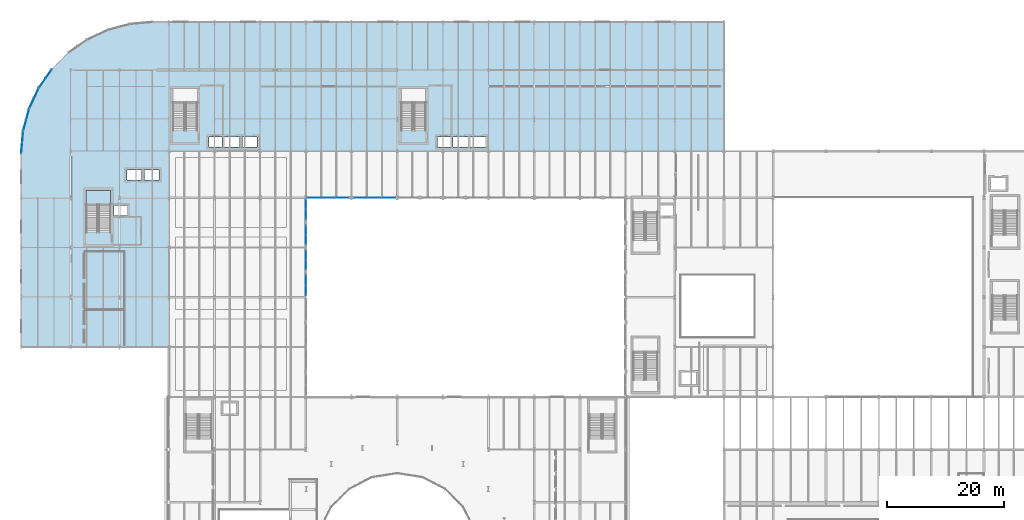
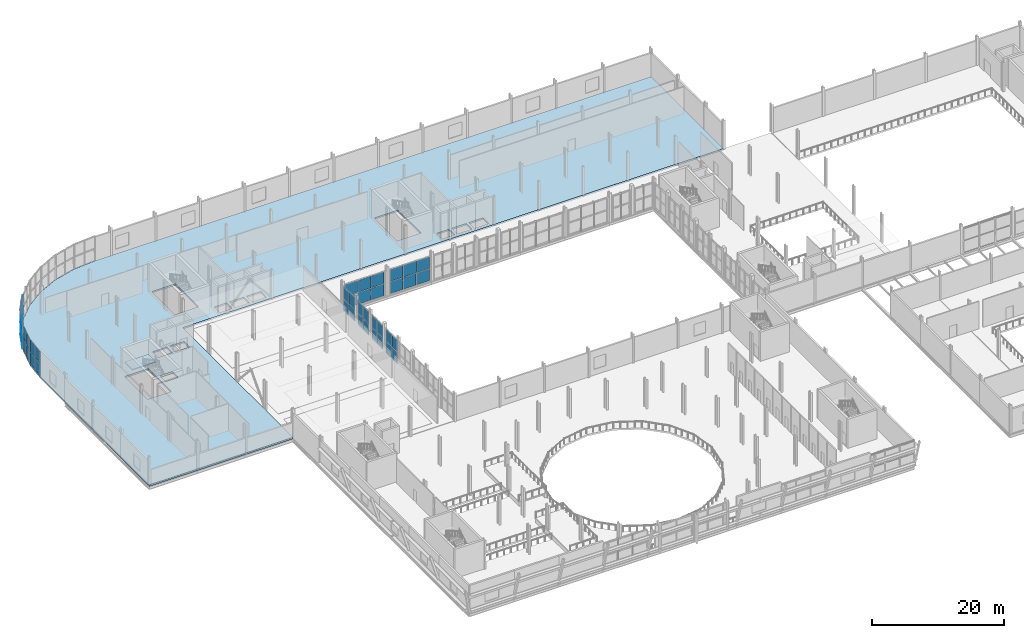
# One storey, part 40 of 78: 44 plates, 2 slabs, 11 elements without a shape of their own.
"""IFC4 building model written with IfcOpenShell, lengths in metres."""

from ifc_helpers import new_model, si_unit, direction, frame, origin, origin_2d, place, context, subcontext, project, spatial, polyline, rectangle, outline, extrude, material, layer, layer_set, type_object, element, aggregate, save


model = new_model("IFC4")

# Units and contexts
model_context = context("Model", 3, precision=1e-05, world=origin(), true_north=direction((0.0, 1.0)))
body_context = subcontext(model_context, "Body", "Model", "MODEL_VIEW")
ifc_project = project(units=[si_unit("LENGTHUNIT", "METRE"), si_unit("AREAUNIT", "SQUARE_METRE"), si_unit("VOLUMEUNIT", "CUBIC_METRE"), si_unit("PLANEANGLEUNIT", "RADIAN"), si_unit("MASSUNIT", "GRAM", prefix="KILO")], contexts=[model_context])

# Site, building, storey
site_placement = place(None, origin())
site = spatial("IfcSite", under=ifc_project, at=site_placement, CompositionType="ELEMENT")
building_placement = place(site_placement, origin())
building = spatial("IfcBuilding", under=site, at=building_placement, Name="Sefraquen Railside Congress Hotel", CompositionType="ELEMENT")
storey_placement = place(building_placement, frame((0.0, 0.0, 6.0)))
storey = spatial("IfcBuildingStorey", under=building, at=storey_placement, Name="L01", CompositionType="ELEMENT", Elevation=6.0)

# Curtain wall, plates
ifc_material_1 = material(Name="Thermally broken anodised aluminium and low-E double glazing", Category="aluminium")
ifc_layer_1 = layer(ifc_material_1, 0.199951171875)
ifc_layer_set_1 = layer_set([ifc_layer_1], Name="Thermally broken anodised aluminium and low-E double glazing")
curtain_wall_type_1 = type_object("IfcCurtainWallType", Name="TCW-UCW-10", PredefinedType="USERDEFINED", material=ifc_layer_set_1)
curtain_wall_1_placement = place(storey_placement, origin())
curtain_wall_1 = element("IfcCurtainWall", 1, at=curtain_wall_1_placement, inside=storey, type_object=curtain_wall_type_1, Name="Courtyard north gallery curtain wall L01-1", ObjectType="UNITISED CURTAIN WALL", PredefinedType="USERDEFINED")
ifc_material_2 = material(Name="Solar-control low-E double glazing", Category="glass")
ifc_layer_2 = layer(ifc_material_2, 0.02392578125)
ifc_layer_set_2 = layer_set([ifc_layer_2], Name="Solar-control low-E double glazing")
plate_type_1 = type_object("IfcPlateType", Name="TP-CWP-01", PredefinedType="CURTAIN_PANEL", material=ifc_layer_set_2)
plate_1_placement = place(storey_placement, frame((50.078369140625, 88.0, 0.0400390625), z_axis=(0.0, 0.0, 1.0), x_axis=(1.0, 0.0, 0.0)))
plate_1 = element("IfcPlate", 2, at=plate_1_placement, type_object=plate_type_1, Name="CW-L01-042 panel 1.1", PredefinedType="CURTAIN_PANEL", context=body_context, shape_type="SweptSolid", body=[
    extrude(rectangle(XDim=2.24658203125, YDim=0.02392578125, at=origin_2d()), origin(), (0.0, 0.0, 1.0), 2.169921875),
])
plate_2_placement = place(storey_placement, frame((52.4150390625, 88.0, 0.0400390625), z_axis=(0.0, 0.0, 1.0), x_axis=(1.0, 0.0, 0.0)))
plate_2 = element("IfcPlate", 3, at=plate_2_placement, type_object=plate_type_1, Name="CW-L01-042 panel 1.2", PredefinedType="CURTAIN_PANEL", context=body_context, shape_type="SweptSolid", body=[
    extrude(rectangle(XDim=2.24658203125, YDim=0.02392578125, at=origin_2d()), origin(), (0.0, 0.0, 1.0), 2.169921875),
])
plate_3_placement = place(storey_placement, frame((54.751708984375, 88.0, 0.0400390625), z_axis=(0.0, 0.0, 1.0), x_axis=(1.0, 0.0, 0.0)))
plate_3 = element("IfcPlate", 4, at=plate_3_placement, type_object=plate_type_1, Name="CW-L01-042 panel 1.3", PredefinedType="CURTAIN_PANEL", context=body_context, shape_type="SweptSolid", body=[
    extrude(rectangle(XDim=2.24658203125, YDim=0.02392578125, at=origin_2d()), origin(), (0.0, 0.0, 1.0), 2.169921875),
])

curtain_wall_2_placement = place(storey_placement, origin())
curtain_wall_2 = element("IfcCurtainWall", 5, at=curtain_wall_2_placement, inside=storey, type_object=curtain_wall_type_1, Name="Courtyard north gallery curtain wall L01-1 bay 2", ObjectType="UNITISED CURTAIN WALL", PredefinedType="USERDEFINED")
plate_4_placement = place(storey_placement, frame((58.04833984375, 88.0, 0.0400390625), z_axis=(0.0, 0.0, 1.0), x_axis=(1.0, 0.0, 0.0)))
plate_4 = element("IfcPlate", 6, at=plate_4_placement, type_object=plate_type_1, Name="CW-L01-042-S2 panel 1.1", PredefinedType="CURTAIN_PANEL", context=body_context, shape_type="SweptSolid", body=[
    extrude(rectangle(XDim=2.24658203125, YDim=0.02392578125, at=origin_2d()), origin(), (0.0, 0.0, 1.0), 2.169921875),
])
plate_5_placement = place(storey_placement, frame((60.385009765625, 88.0, 0.0400390625), z_axis=(0.0, 0.0, 1.0), x_axis=(1.0, 0.0, 0.0)))
plate_5 = element("IfcPlate", 7, at=plate_5_placement, type_object=plate_type_1, Name="CW-L01-042-S2 panel 1.2", PredefinedType="CURTAIN_PANEL", context=body_context, shape_type="SweptSolid", body=[
    extrude(rectangle(XDim=2.24658203125, YDim=0.02392578125, at=origin_2d()), origin(), (0.0, 0.0, 1.0), 2.169921875),
])
plate_6_placement = place(storey_placement, frame((62.7216796875, 88.0, 0.0400390625), z_axis=(0.0, 0.0, 1.0), x_axis=(1.0, 0.0, 0.0)))
plate_6 = element("IfcPlate", 8, at=plate_6_placement, type_object=plate_type_1, Name="CW-L01-042-S2 panel 1.3", PredefinedType="CURTAIN_PANEL", context=body_context, shape_type="SweptSolid", body=[
    extrude(rectangle(XDim=2.24658203125, YDim=0.02392578125, at=origin_2d()), origin(), (0.0, 0.0, 1.0), 2.169921875),
])

ifc_layer_3 = layer(ifc_material_1, 0.199951171875)
ifc_layer_set_3 = layer_set([ifc_layer_3], Name="Thermally broken anodised aluminium and low-E double glazing")
curtain_wall_type_2 = type_object("IfcCurtainWallType", Name="TCW-UCW-15", PredefinedType="USERDEFINED", material=ifc_layer_set_3)
curtain_wall_3_placement = place(storey_placement, origin())
curtain_wall_3 = element("IfcCurtainWall", 9, at=curtain_wall_3_placement, inside=storey, type_object=curtain_wall_type_2, Name="Courtyard west gallery curtain wall L01", ObjectType="UNITISED CURTAIN WALL", PredefinedType="USERDEFINED")
plate_7_placement = place(storey_placement, frame((48.60009765625, 72.175048828125, 0.0400390625), z_axis=(0.0, 0.0, 1.0), x_axis=(0.0, 1.0, 0.0)))
plate_7 = element("IfcPlate", 10, at=plate_7_placement, type_object=plate_type_1, Name="CW-L01-047 panel 1.1", PredefinedType="CURTAIN_PANEL", context=body_context, shape_type="SweptSolid", body=[
    extrude(rectangle(XDim=1.639892578125, YDim=0.02392578125, at=origin_2d()), origin(), (0.0, 0.0, 1.0), 2.169921875),
])
plate_8_placement = place(storey_placement, frame((48.60009765625, 73.905029296875, 0.0400390625), z_axis=(0.0, 0.0, 1.0), x_axis=(0.0, 1.0, 0.0)))
plate_8 = element("IfcPlate", 11, at=plate_8_placement, type_object=plate_type_1, Name="CW-L01-047 panel 1.2", PredefinedType="CURTAIN_PANEL", context=body_context, shape_type="SweptSolid", body=[
    extrude(rectangle(XDim=1.639892578125, YDim=0.02392578125, at=origin_2d()), origin(), (0.0, 0.0, 1.0), 2.169921875),
])

curtain_wall_4_placement = place(storey_placement, origin())
curtain_wall_4 = element("IfcCurtainWall", 12, at=curtain_wall_4_placement, inside=storey, type_object=curtain_wall_type_2, Name="Courtyard west gallery curtain wall L01 bay 2", ObjectType="UNITISED CURTAIN WALL", PredefinedType="USERDEFINED")
plate_9_placement = place(storey_placement, frame((48.60009765625, 76.552490234375, 0.0400390625), z_axis=(0.0, 0.0, 1.0), x_axis=(0.0, 1.0, 0.0)))
plate_9 = element("IfcPlate", 13, at=plate_9_placement, type_object=plate_type_1, Name="CW-L01-047-S2 panel 1.1", PredefinedType="CURTAIN_PANEL", context=body_context, shape_type="SweptSolid", body=[
    extrude(rectangle(XDim=1.554931640625, YDim=0.02392578125, at=origin_2d()), origin(), (0.0, 0.0, 1.0), 2.169921875),
])
plate_10_placement = place(storey_placement, frame((48.60009765625, 78.197509765625, 0.0400390625), z_axis=(0.0, 0.0, 1.0), x_axis=(0.0, 1.0, 0.0)))
plate_10 = element("IfcPlate", 14, at=plate_10_placement, type_object=plate_type_1, Name="CW-L01-047-S2 panel 1.2", PredefinedType="CURTAIN_PANEL", context=body_context, shape_type="SweptSolid", body=[
    extrude(rectangle(XDim=1.554931640625, YDim=0.02392578125, at=origin_2d()), origin(), (0.0, 0.0, 1.0), 2.169921875),
])

curtain_wall_5_placement = place(storey_placement, origin())
curtain_wall_5 = element("IfcCurtainWall", 15, at=curtain_wall_5_placement, inside=storey, type_object=curtain_wall_type_2, Name="Courtyard west gallery curtain wall L01 bay 3", ObjectType="UNITISED CURTAIN WALL", PredefinedType="USERDEFINED")
plate_11_placement = place(storey_placement, frame((48.60009765625, 80.802490234375, 0.0400390625), z_axis=(0.0, 0.0, 1.0), x_axis=(0.0, 1.0, 0.0)))
plate_11 = element("IfcPlate", 16, at=plate_11_placement, type_object=plate_type_1, Name="CW-L01-047-S3 panel 1.1", PredefinedType="CURTAIN_PANEL", context=body_context, shape_type="SweptSolid", body=[
    extrude(rectangle(XDim=1.554931640625, YDim=0.02392578125, at=origin_2d()), origin(), (0.0, 0.0, 1.0), 2.169921875),
])
plate_12_placement = place(storey_placement, frame((48.60009765625, 82.447509765625, 0.0400390625), z_axis=(0.0, 0.0, 1.0), x_axis=(0.0, 1.0, 0.0)))
plate_12 = element("IfcPlate", 17, at=plate_12_placement, type_object=plate_type_1, Name="CW-L01-047-S3 panel 1.2", PredefinedType="CURTAIN_PANEL", context=body_context, shape_type="SweptSolid", body=[
    extrude(rectangle(XDim=1.554931640625, YDim=0.02392578125, at=origin_2d()), origin(), (0.0, 0.0, 1.0), 2.169921875),
])

curtain_wall_6_placement = place(storey_placement, origin())
curtain_wall_6 = element("IfcCurtainWall", 18, at=curtain_wall_6_placement, inside=storey, type_object=curtain_wall_type_2, Name="Courtyard west gallery curtain wall L01 bay 4", ObjectType="UNITISED CURTAIN WALL", PredefinedType="USERDEFINED")
plate_13_placement = place(storey_placement, frame((48.60009765625, 85.094970703125, 0.0400390625), z_axis=(0.0, 0.0, 1.0), x_axis=(0.0, 1.0, 0.0)))
plate_13 = element("IfcPlate", 19, at=plate_13_placement, type_object=plate_type_1, Name="CW-L01-047-S4 panel 1.1", PredefinedType="CURTAIN_PANEL", context=body_context, shape_type="SweptSolid", body=[
    extrude(rectangle(XDim=1.639892578125, YDim=0.02392578125, at=origin_2d()), origin(), (0.0, 0.0, 1.0), 2.169921875),
])
plate_14_placement = place(storey_placement, frame((48.60009765625, 86.824951171875, 0.0400390625), z_axis=(0.0, 0.0, 1.0), x_axis=(0.0, 1.0, 0.0)))
plate_14 = element("IfcPlate", 20, at=plate_14_placement, type_object=plate_type_1, Name="CW-L01-047-S4 panel 1.2", PredefinedType="CURTAIN_PANEL", context=body_context, shape_type="SweptSolid", body=[
    extrude(rectangle(XDim=1.639892578125, YDim=0.02392578125, at=origin_2d()), origin(), (0.0, 0.0, 1.0), 2.169921875),
])

curtain_wall_7_placement = place(storey_placement, origin())
curtain_wall_7 = element("IfcCurtainWall", 21, at=curtain_wall_7_placement, inside=storey, type_object=curtain_wall_type_2, Name="Rotunda L01 curved curtain wall facet 6", ObjectType="UNITISED CURTAIN WALL", PredefinedType="USERDEFINED")
plate_15_placement = place(storey_placement, frame((4.690185546875, 109.14306640625, 0.0400390625), z_axis=(0.0, 0.0, 1.0), x_axis=(-0.573605029802, -0.819132022195, 0.0)))
plate_15 = element("IfcPlate", 22, at=plate_15_placement, type_object=plate_type_1, Name="CW-L01-ROT-06 panel 1.1", PredefinedType="CURTAIN_PANEL", context=body_context, shape_type="SweptSolid", body=[
    extrude(rectangle(XDim=1.8310546875, YDim=0.02392578125, at=origin_2d()), origin(), (0.0, 0.0, 1.0), 2.219970703125),
])
plate_16_placement = place(storey_placement, frame((3.58837890625, 107.569580078125, 0.0400390625), z_axis=(0.0, 0.0, 1.0), x_axis=(-0.573605029802, -0.819132022195, 0.0)))
plate_16 = element("IfcPlate", 23, at=plate_16_placement, type_object=plate_type_1, Name="CW-L01-ROT-06 panel 1.2", PredefinedType="CURTAIN_PANEL", context=body_context, shape_type="SweptSolid", body=[
    extrude(rectangle(XDim=1.8310546875, YDim=0.02392578125, at=origin_2d()), origin(), (0.0, 0.0, 1.0), 2.219970703125),
])

ifc_layer_4 = layer(ifc_material_1, 0.199951171875)
ifc_layer_set_4 = layer_set([ifc_layer_4], Name="Thermally broken anodised aluminium and low-E double glazing")
curtain_wall_type_3 = type_object("IfcCurtainWallType", Name="TCW-UCW-16", PredefinedType="USERDEFINED", material=ifc_layer_set_4)
curtain_wall_8_placement = place(storey_placement, origin())
curtain_wall_8 = element("IfcCurtainWall", 24, at=curtain_wall_8_placement, inside=storey, type_object=curtain_wall_type_3, Name="Rotunda L01 curved curtain wall facet 7", ObjectType="UNITISED CURTAIN WALL", PredefinedType="USERDEFINED")
plate_17_placement = place(storey_placement, frame((2.591552734375, 105.84326171875, 0.0400390625), z_axis=(0.0, 0.0, 1.0), x_axis=(-0.422634079731, -0.906300410818, 0.0)))
plate_17 = element("IfcPlate", 25, at=plate_17_placement, type_object=plate_type_1, Name="CW-L01-ROT-07 panel 1.1", PredefinedType="CURTAIN_PANEL", context=body_context, shape_type="SweptSolid", body=[
    extrude(rectangle(XDim=1.830810546875, YDim=0.02392578125, at=origin_2d()), origin(), (0.0, 0.0, 1.0), 2.219970703125),
])
plate_18_placement = place(storey_placement, frame((1.77978515625, 104.102294921875, 0.0400390625), z_axis=(0.0, 0.0, 1.0), x_axis=(-0.422634079731, -0.906300410818, 0.0)))
plate_18 = element("IfcPlate", 26, at=plate_18_placement, type_object=plate_type_1, Name="CW-L01-ROT-07 panel 1.2", PredefinedType="CURTAIN_PANEL", context=body_context, shape_type="SweptSolid", body=[
    extrude(rectangle(XDim=1.830810546875, YDim=0.02392578125, at=origin_2d()), origin(), (0.0, 0.0, 1.0), 2.219970703125),
])

ifc_layer_5 = layer(ifc_material_1, 0.199951171875)
ifc_layer_set_5 = layer_set([ifc_layer_5], Name="Thermally broken anodised aluminium and low-E double glazing")
curtain_wall_type_4 = type_object("IfcCurtainWallType", Name="TCW-UCW-17", PredefinedType="USERDEFINED", material=ifc_layer_set_5)
curtain_wall_9_placement = place(storey_placement, origin())
curtain_wall_9 = element("IfcCurtainWall", 27, at=curtain_wall_9_placement, inside=storey, type_object=curtain_wall_type_4, Name="Rotunda L01 curved curtain wall facet 8", ObjectType="UNITISED CURTAIN WALL", PredefinedType="USERDEFINED")
plate_19_placement = place(storey_placement, frame((1.097900390625, 102.22900390625, 0.0400390625), z_axis=(0.0, 0.0, 1.0), x_axis=(-0.258785327773, -0.96593486019, 0.0)))
plate_19 = element("IfcPlate", 28, at=plate_19_placement, type_object=plate_type_1, Name="CW-L01-ROT-08 panel 1.1", PredefinedType="CURTAIN_PANEL", context=body_context, shape_type="SweptSolid", body=[
    extrude(rectangle(XDim=1.8310546875, YDim=0.02392578125, at=origin_2d()), origin(), (0.0, 0.0, 1.0), 2.219970703125),
])
plate_20_placement = place(storey_placement, frame((0.6005859375, 100.37353515625, 0.0400390625), z_axis=(0.0, 0.0, 1.0), x_axis=(-0.258785327773, -0.96593486019, 0.0)))
plate_20 = element("IfcPlate", 29, at=plate_20_placement, type_object=plate_type_1, Name="CW-L01-ROT-08 panel 1.2", PredefinedType="CURTAIN_PANEL", context=body_context, shape_type="SweptSolid", body=[
    extrude(rectangle(XDim=1.8310546875, YDim=0.02392578125, at=origin_2d()), origin(), (0.0, 0.0, 1.0), 2.219970703125),
])

ifc_layer_6 = layer(ifc_material_1, 0.199951171875)
ifc_layer_set_6 = layer_set([ifc_layer_6], Name="Thermally broken anodised aluminium and low-E double glazing")
curtain_wall_type_5 = type_object("IfcCurtainWallType", Name="TCW-UCW-18", PredefinedType="USERDEFINED", material=ifc_layer_set_6)
curtain_wall_10_placement = place(storey_placement, origin())
curtain_wall_10 = element("IfcCurtainWall", 30, at=curtain_wall_10_placement, inside=storey, type_object=curtain_wall_type_5, Name="Rotunda L01 curved curtain wall facet 9", ObjectType="UNITISED CURTAIN WALL", PredefinedType="USERDEFINED")
plate_21_placement = place(storey_placement, frame((0.254638671875, 98.410400390625, 0.0400390625), z_axis=(0.0, 0.0, 1.0), x_axis=(-0.087138355857, -0.996196219095, 0.0)))
plate_21 = element("IfcPlate", 31, at=plate_21_placement, type_object=plate_type_1, Name="CW-L01-ROT-09 panel 1.1", PredefinedType="CURTAIN_PANEL", context=body_context, shape_type="SweptSolid", body=[
    extrude(rectangle(XDim=1.8310546875, YDim=0.02392578125, at=origin_2d()), origin(), (0.0, 0.0, 1.0), 2.219970703125),
])
plate_22_placement = place(storey_placement, frame((0.087158203125, 96.49658203125, 0.0400390625), z_axis=(0.0, 0.0, 1.0), x_axis=(-0.087138355857, -0.996196219095, 0.0)))
plate_22 = element("IfcPlate", 32, at=plate_22_placement, type_object=plate_type_1, Name="CW-L01-ROT-09 panel 1.2", PredefinedType="CURTAIN_PANEL", context=body_context, shape_type="SweptSolid", body=[
    extrude(rectangle(XDim=1.8310546875, YDim=0.02392578125, at=origin_2d()), origin(), (0.0, 0.0, 1.0), 2.219970703125),
])

# Plate
ifc_material_3 = material(Name="Triple acoustic solar-control glazing", Category="glass")
ifc_layer_7 = layer(ifc_material_3, 0.031982421875)
ifc_layer_set_7 = layer_set([ifc_layer_7], Name="Triple acoustic solar-control glazing")
plate_type_2 = type_object("IfcPlateType", Name="TP-CWP-02", PredefinedType="CURTAIN_PANEL", material=ifc_layer_set_7)
plate_23_placement = place(storey_placement, frame((50.078369140625, 88.0, 2.2900390625), z_axis=(0.0, 0.0, 1.0), x_axis=(1.0, 0.0, 0.0)))
plate_23 = element("IfcPlate", 33, at=plate_23_placement, type_object=plate_type_2, Name="CW-L01-042 panel 2.1", PredefinedType="CURTAIN_PANEL", context=body_context, shape_type="SweptSolid", body=[
    extrude(rectangle(XDim=2.24658203125, YDim=0.031982421875, at=origin_2d()), origin(), (0.0, 0.0, 1.0), 2.169921875),
])

plate_24_placement = place(storey_placement, frame((52.4150390625, 88.0, 2.2900390625), z_axis=(0.0, 0.0, 1.0), x_axis=(1.0, 0.0, 0.0)))
plate_24 = element("IfcPlate", 34, at=plate_24_placement, type_object=plate_type_2, Name="CW-L01-042 panel 2.2", PredefinedType="CURTAIN_PANEL", context=body_context, shape_type="SweptSolid", body=[
    extrude(rectangle(XDim=2.24658203125, YDim=0.031982421875, at=origin_2d()), origin(), (0.0, 0.0, 1.0), 2.169921875),
])

plate_25_placement = place(storey_placement, frame((54.751708984375, 88.0, 2.2900390625), z_axis=(0.0, 0.0, 1.0), x_axis=(1.0, 0.0, 0.0)))
plate_25 = element("IfcPlate", 35, at=plate_25_placement, type_object=plate_type_2, Name="CW-L01-042 panel 2.3", PredefinedType="CURTAIN_PANEL", context=body_context, shape_type="SweptSolid", body=[
    extrude(rectangle(XDim=2.24658203125, YDim=0.031982421875, at=origin_2d()), origin(), (0.0, 0.0, 1.0), 2.169921875),
])

aggregate(curtain_wall_1, [plate_1, plate_2, plate_3, plate_23, plate_24, plate_25])

plate_26_placement = place(storey_placement, frame((58.04833984375, 88.0, 2.2900390625), z_axis=(0.0, 0.0, 1.0), x_axis=(1.0, 0.0, 0.0)))
plate_26 = element("IfcPlate", 36, at=plate_26_placement, type_object=plate_type_2, Name="CW-L01-042-S2 panel 2.1", PredefinedType="CURTAIN_PANEL", context=body_context, shape_type="SweptSolid", body=[
    extrude(rectangle(XDim=2.24658203125, YDim=0.031982421875, at=origin_2d()), origin(), (0.0, 0.0, 1.0), 2.169921875),
])

plate_27_placement = place(storey_placement, frame((60.385009765625, 88.0, 2.2900390625), z_axis=(0.0, 0.0, 1.0), x_axis=(1.0, 0.0, 0.0)))
plate_27 = element("IfcPlate", 37, at=plate_27_placement, type_object=plate_type_2, Name="CW-L01-042-S2 panel 2.2", PredefinedType="CURTAIN_PANEL", context=body_context, shape_type="SweptSolid", body=[
    extrude(rectangle(XDim=2.24658203125, YDim=0.031982421875, at=origin_2d()), origin(), (0.0, 0.0, 1.0), 2.169921875),
])

plate_28_placement = place(storey_placement, frame((62.7216796875, 88.0, 2.2900390625), z_axis=(0.0, 0.0, 1.0), x_axis=(1.0, 0.0, 0.0)))
plate_28 = element("IfcPlate", 38, at=plate_28_placement, type_object=plate_type_2, Name="CW-L01-042-S2 panel 2.3", PredefinedType="CURTAIN_PANEL", context=body_context, shape_type="SweptSolid", body=[
    extrude(rectangle(XDim=2.24658203125, YDim=0.031982421875, at=origin_2d()), origin(), (0.0, 0.0, 1.0), 2.169921875),
])

aggregate(curtain_wall_2, [plate_4, plate_5, plate_6, plate_26, plate_27, plate_28])

plate_29_placement = place(storey_placement, frame((48.60009765625, 72.175048828125, 2.2900390625), z_axis=(0.0, 0.0, 1.0), x_axis=(0.0, 1.0, 0.0)))
plate_29 = element("IfcPlate", 39, at=plate_29_placement, type_object=plate_type_2, Name="CW-L01-047 panel 2.1", PredefinedType="CURTAIN_PANEL", context=body_context, shape_type="SweptSolid", body=[
    extrude(rectangle(XDim=1.639892578125, YDim=0.031982421875, at=origin_2d()), origin(), (0.0, 0.0, 1.0), 2.169921875),
])

plate_30_placement = place(storey_placement, frame((48.60009765625, 73.905029296875, 2.2900390625), z_axis=(0.0, 0.0, 1.0), x_axis=(0.0, 1.0, 0.0)))
plate_30 = element("IfcPlate", 40, at=plate_30_placement, type_object=plate_type_2, Name="CW-L01-047 panel 2.2", PredefinedType="CURTAIN_PANEL", context=body_context, shape_type="SweptSolid", body=[
    extrude(rectangle(XDim=1.639892578125, YDim=0.031982421875, at=origin_2d()), origin(), (0.0, 0.0, 1.0), 2.169921875),
])

aggregate(curtain_wall_3, [plate_7, plate_8, plate_29, plate_30])

plate_31_placement = place(storey_placement, frame((48.60009765625, 76.552490234375, 2.2900390625), z_axis=(0.0, 0.0, 1.0), x_axis=(0.0, 1.0, 0.0)))
plate_31 = element("IfcPlate", 41, at=plate_31_placement, type_object=plate_type_2, Name="CW-L01-047-S2 panel 2.1", PredefinedType="CURTAIN_PANEL", context=body_context, shape_type="SweptSolid", body=[
    extrude(rectangle(XDim=1.554931640625, YDim=0.031982421875, at=origin_2d()), origin(), (0.0, 0.0, 1.0), 2.169921875),
])

plate_32_placement = place(storey_placement, frame((48.60009765625, 78.197509765625, 2.2900390625), z_axis=(0.0, 0.0, 1.0), x_axis=(0.0, 1.0, 0.0)))
plate_32 = element("IfcPlate", 42, at=plate_32_placement, type_object=plate_type_2, Name="CW-L01-047-S2 panel 2.2", PredefinedType="CURTAIN_PANEL", context=body_context, shape_type="SweptSolid", body=[
    extrude(rectangle(XDim=1.554931640625, YDim=0.031982421875, at=origin_2d()), origin(), (0.0, 0.0, 1.0), 2.169921875),
])

aggregate(curtain_wall_4, [plate_9, plate_10, plate_31, plate_32])

plate_33_placement = place(storey_placement, frame((48.60009765625, 80.802490234375, 2.2900390625), z_axis=(0.0, 0.0, 1.0), x_axis=(0.0, 1.0, 0.0)))
plate_33 = element("IfcPlate", 43, at=plate_33_placement, type_object=plate_type_2, Name="CW-L01-047-S3 panel 2.1", PredefinedType="CURTAIN_PANEL", context=body_context, shape_type="SweptSolid", body=[
    extrude(rectangle(XDim=1.554931640625, YDim=0.031982421875, at=origin_2d()), origin(), (0.0, 0.0, 1.0), 2.169921875),
])

plate_34_placement = place(storey_placement, frame((48.60009765625, 82.447509765625, 2.2900390625), z_axis=(0.0, 0.0, 1.0), x_axis=(0.0, 1.0, 0.0)))
plate_34 = element("IfcPlate", 44, at=plate_34_placement, type_object=plate_type_2, Name="CW-L01-047-S3 panel 2.2", PredefinedType="CURTAIN_PANEL", context=body_context, shape_type="SweptSolid", body=[
    extrude(rectangle(XDim=1.554931640625, YDim=0.031982421875, at=origin_2d()), origin(), (0.0, 0.0, 1.0), 2.169921875),
])

aggregate(curtain_wall_5, [plate_11, plate_12, plate_33, plate_34])

plate_35_placement = place(storey_placement, frame((48.60009765625, 85.094970703125, 2.2900390625), z_axis=(0.0, 0.0, 1.0), x_axis=(0.0, 1.0, 0.0)))
plate_35 = element("IfcPlate", 45, at=plate_35_placement, type_object=plate_type_2, Name="CW-L01-047-S4 panel 2.1", PredefinedType="CURTAIN_PANEL", context=body_context, shape_type="SweptSolid", body=[
    extrude(rectangle(XDim=1.639892578125, YDim=0.031982421875, at=origin_2d()), origin(), (0.0, 0.0, 1.0), 2.169921875),
])

plate_36_placement = place(storey_placement, frame((48.60009765625, 86.824951171875, 2.2900390625), z_axis=(0.0, 0.0, 1.0), x_axis=(0.0, 1.0, 0.0)))
plate_36 = element("IfcPlate", 46, at=plate_36_placement, type_object=plate_type_2, Name="CW-L01-047-S4 panel 2.2", PredefinedType="CURTAIN_PANEL", context=body_context, shape_type="SweptSolid", body=[
    extrude(rectangle(XDim=1.639892578125, YDim=0.031982421875, at=origin_2d()), origin(), (0.0, 0.0, 1.0), 2.169921875),
])

aggregate(curtain_wall_6, [plate_13, plate_14, plate_35, plate_36])

plate_37_placement = place(storey_placement, frame((4.690185546875, 109.14306640625, 2.33984375), z_axis=(0.0, 0.0, 1.0), x_axis=(-0.573605029802, -0.819132022195, 0.0)))
plate_37 = element("IfcPlate", 47, at=plate_37_placement, type_object=plate_type_2, Name="CW-L01-ROT-06 panel 2.1", PredefinedType="CURTAIN_PANEL", context=body_context, shape_type="SweptSolid", body=[
    extrude(rectangle(XDim=1.8310546875, YDim=0.031982421875, at=origin_2d()), origin(), (0.0, 0.0, 1.0), 2.219970703125),
])

plate_38_placement = place(storey_placement, frame((3.58837890625, 107.569580078125, 2.33984375), z_axis=(0.0, 0.0, 1.0), x_axis=(-0.573605029802, -0.819132022195, 0.0)))
plate_38 = element("IfcPlate", 48, at=plate_38_placement, type_object=plate_type_2, Name="CW-L01-ROT-06 panel 2.2", PredefinedType="CURTAIN_PANEL", context=body_context, shape_type="SweptSolid", body=[
    extrude(rectangle(XDim=1.8310546875, YDim=0.031982421875, at=origin_2d()), origin(), (0.0, 0.0, 1.0), 2.219970703125),
])

aggregate(curtain_wall_7, [plate_15, plate_16, plate_37, plate_38])

plate_39_placement = place(storey_placement, frame((2.591552734375, 105.84326171875, 2.33984375), z_axis=(0.0, 0.0, 1.0), x_axis=(-0.422634079731, -0.906300410818, 0.0)))
plate_39 = element("IfcPlate", 49, at=plate_39_placement, type_object=plate_type_2, Name="CW-L01-ROT-07 panel 2.1", PredefinedType="CURTAIN_PANEL", context=body_context, shape_type="SweptSolid", body=[
    extrude(rectangle(XDim=1.830810546875, YDim=0.031982421875, at=origin_2d()), origin(), (0.0, 0.0, 1.0), 2.219970703125),
])

plate_40_placement = place(storey_placement, frame((1.77978515625, 104.102294921875, 2.33984375), z_axis=(0.0, 0.0, 1.0), x_axis=(-0.422634079731, -0.906300410818, 0.0)))
plate_40 = element("IfcPlate", 50, at=plate_40_placement, type_object=plate_type_2, Name="CW-L01-ROT-07 panel 2.2", PredefinedType="CURTAIN_PANEL", context=body_context, shape_type="SweptSolid", body=[
    extrude(rectangle(XDim=1.830810546875, YDim=0.031982421875, at=origin_2d()), origin(), (0.0, 0.0, 1.0), 2.219970703125),
])

aggregate(curtain_wall_8, [plate_17, plate_18, plate_39, plate_40])

plate_41_placement = place(storey_placement, frame((1.097900390625, 102.22900390625, 2.33984375), z_axis=(0.0, 0.0, 1.0), x_axis=(-0.258785327773, -0.96593486019, 0.0)))
plate_41 = element("IfcPlate", 51, at=plate_41_placement, type_object=plate_type_2, Name="CW-L01-ROT-08 panel 2.1", PredefinedType="CURTAIN_PANEL", context=body_context, shape_type="SweptSolid", body=[
    extrude(rectangle(XDim=1.8310546875, YDim=0.031982421875, at=origin_2d()), origin(), (0.0, 0.0, 1.0), 2.219970703125),
])

plate_42_placement = place(storey_placement, frame((0.6005859375, 100.37353515625, 2.33984375), z_axis=(0.0, 0.0, 1.0), x_axis=(-0.258785327773, -0.96593486019, 0.0)))
plate_42 = element("IfcPlate", 52, at=plate_42_placement, type_object=plate_type_2, Name="CW-L01-ROT-08 panel 2.2", PredefinedType="CURTAIN_PANEL", context=body_context, shape_type="SweptSolid", body=[
    extrude(rectangle(XDim=1.8310546875, YDim=0.031982421875, at=origin_2d()), origin(), (0.0, 0.0, 1.0), 2.219970703125),
])

aggregate(curtain_wall_9, [plate_19, plate_20, plate_41, plate_42])

plate_43_placement = place(storey_placement, frame((0.254638671875, 98.410400390625, 2.33984375), z_axis=(0.0, 0.0, 1.0), x_axis=(-0.087138355857, -0.996196219095, 0.0)))
plate_43 = element("IfcPlate", 53, at=plate_43_placement, type_object=plate_type_2, Name="CW-L01-ROT-09 panel 2.1", PredefinedType="CURTAIN_PANEL", context=body_context, shape_type="SweptSolid", body=[
    extrude(rectangle(XDim=1.8310546875, YDim=0.031982421875, at=origin_2d()), origin(), (0.0, 0.0, 1.0), 2.219970703125),
])

plate_44_placement = place(storey_placement, frame((0.087158203125, 96.49658203125, 2.33984375), z_axis=(0.0, 0.0, 1.0), x_axis=(-0.087138355857, -0.996196219095, 0.0)))
plate_44 = element("IfcPlate", 54, at=plate_44_placement, type_object=plate_type_2, Name="CW-L01-ROT-09 panel 2.2", PredefinedType="CURTAIN_PANEL", context=body_context, shape_type="SweptSolid", body=[
    extrude(rectangle(XDim=1.8310546875, YDim=0.031982421875, at=origin_2d()), origin(), (0.0, 0.0, 1.0), 2.219970703125),
])

aggregate(curtain_wall_10, [plate_21, plate_22, plate_43, plate_44])

# Slab
ifc_material_4 = material(Name="Concrete C40/50", Category="concrete")
ifc_layer_8 = layer(ifc_material_4, 0.300048828125)
ifc_layer_set_8 = layer_set([ifc_layer_8], Name="Concrete C40/50")
slab_type_1 = type_object("IfcSlabType", Name="TS-FS-300", PredefinedType="FLOOR", material=ifc_layer_set_8)
slab_1_placement = place(storey_placement, frame((0.0, 0.0, -0.300048828125)))
element("IfcSlab", 55, at=slab_1_placement, inside=storey, type_object=slab_type_1, Name="Hotel Wing L01 fine-dining floor slab", PredefinedType="FLOOR", context=body_context, shape_type="SweptSolid", body=[
    extrude(outline(polyline([(0.0, 62.5), (25.199951171875, 62.5), (25.199951171875, 96.0), (120.0, 96.0), (120.0, 118.0), (22.5, 118.0), (18.593017578125, 117.658203125), (14.804443359375, 116.64306640625), (11.25, 114.985595703125), (8.037353515625, 112.736083984375), (5.263916015625, 109.962646484375), (3.014404296875, 106.75), (1.35693359375, 103.195556640625), (0.341796875, 99.406982421875), (0.0, 95.5), (0.0, 62.5)]), holes=[polyline([(11.10009765625, 82.219970703125), (15.260009765625, 82.219970703125), (15.260009765625, 89.2119140625), (11.10009765625, 89.2119140625), (11.10009765625, 82.219970703125)]), polyline([(25.89990234375, 99.6201171875), (30.06005859375, 99.6201171875), (30.06005859375, 106.612060546875), (25.89990234375, 106.612060546875), (25.89990234375, 99.6201171875)]), polyline([(64.89990234375, 99.6201171875), (69.06005859375, 99.6201171875), (69.06005859375, 106.612060546875), (64.89990234375, 106.612060546875), (64.89990234375, 99.6201171875)]), polyline([(15.830078125, 84.949951171875), (18.030029296875, 84.949951171875), (18.030029296875, 86.64990234375), (15.830078125, 86.64990234375), (15.830078125, 84.949951171875)]), polyline([(32.06005859375, 96.64990234375), (34.260009765625, 96.64990234375), (34.260009765625, 98.35009765625), (32.06005859375, 98.35009765625), (32.06005859375, 96.64990234375)]), polyline([(71.06005859375, 96.64990234375), (73.260009765625, 96.64990234375), (73.260009765625, 98.35009765625), (71.06005859375, 98.35009765625), (71.06005859375, 96.64990234375)]), polyline([(18.050048828125, 91.050048828125), (20.550048828125, 91.050048828125), (20.550048828125, 92.75), (18.050048828125, 92.75), (18.050048828125, 91.050048828125)]), polyline([(21.0400390625, 91.050048828125), (23.5400390625, 91.050048828125), (23.5400390625, 92.75), (21.0400390625, 92.75), (21.0400390625, 91.050048828125)]), polyline([(34.75, 96.64990234375), (37.25, 96.64990234375), (37.25, 98.35009765625), (34.75, 98.35009765625), (34.75, 96.64990234375)]), polyline([(37.739990234375, 96.64990234375), (40.239990234375, 96.64990234375), (40.239990234375, 98.35009765625), (37.739990234375, 98.35009765625), (37.739990234375, 96.64990234375)]), polyline([(73.75, 96.64990234375), (76.25, 96.64990234375), (76.25, 98.35009765625), (73.75, 98.35009765625), (73.75, 96.64990234375)]), polyline([(76.739990234375, 96.64990234375), (79.239990234375, 96.64990234375), (79.239990234375, 98.35009765625), (76.739990234375, 98.35009765625), (76.739990234375, 96.64990234375)])]), origin(), (0.0, 0.0, 1.0), 0.300048828125),
])

# Stair, slab
stair_type = type_object("IfcStairType", Name="TST-DOG-198-360", PredefinedType="HALF_TURN_STAIR", material=ifc_material_4)
stair_placement = place(storey_placement, origin())
stair = element("IfcStair", 56, at=stair_placement, inside=storey, type_object=stair_type, Name="L01 Pressurized escape stair ST-H01", PredefinedType="HALF_TURN_STAIR")
ifc_layer_9 = layer(ifc_material_4, 0.199951171875)
ifc_layer_set_9 = layer_set([ifc_layer_9], Name="Concrete C40/50")
slab_type_2 = type_object("IfcSlabType", Name="TS-LD-200", PredefinedType="LANDING", material=ifc_layer_set_9)
slab_2_placement = place(storey_placement, frame((0.0, 0.0, 2.5)))
slab_2 = element("IfcSlab", 57, at=slab_2_placement, type_object=slab_type_2, Name="ST-H01 landing 1", PredefinedType="LANDING", context=body_context, shape_type="SweptSolid", body=[
    extrude(outline(polyline([(15.260009765625, 86.909912109375), (15.260009765625, 89.2119140625), (11.10009765625, 89.2119140625), (11.10009765625, 86.909912109375), (15.260009765625, 86.909912109375)])), origin(), (0.0, 0.0, 1.0), 0.199951171875),
])
aggregate(stair, [slab_2])

save(model, "model.ifc")
